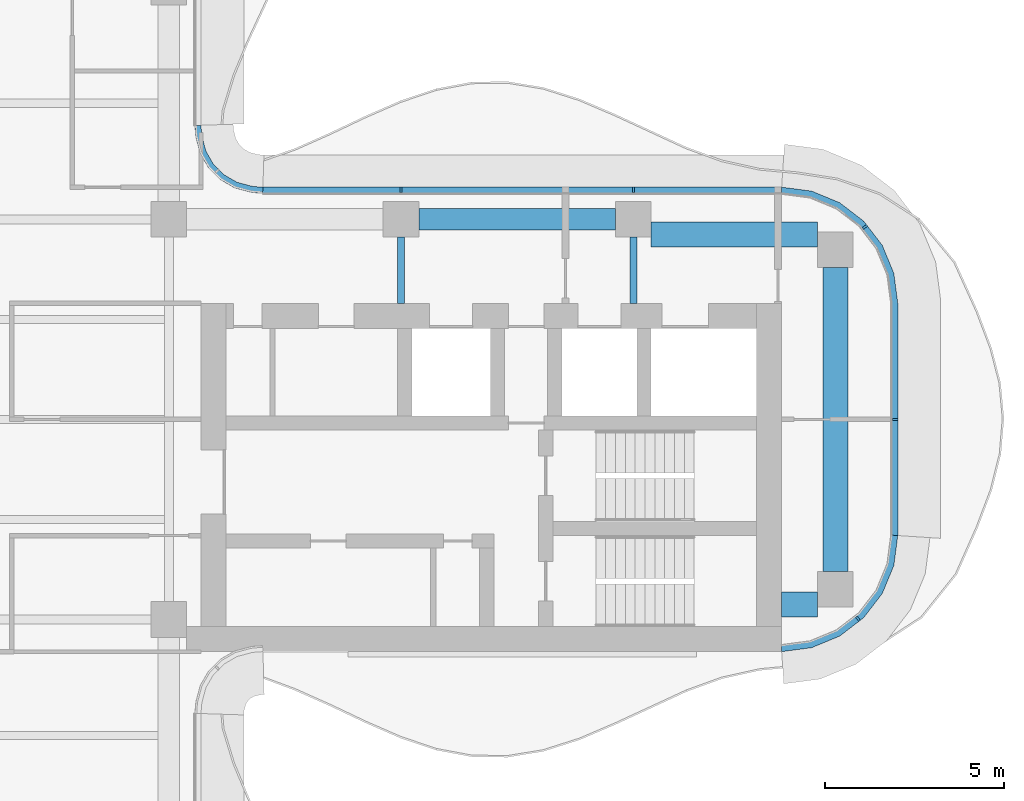
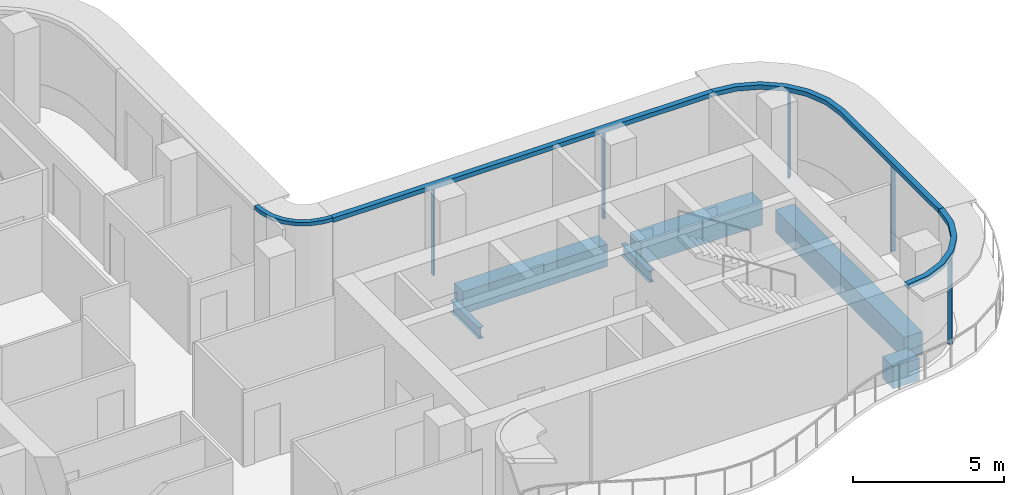
# One storey, part 6 of 15: 9 members, 6 beams, 4 elements without a shape of their own.
"""IFC4 building model written with IfcOpenShell, lengths in metres."""

from ifc_helpers import new_model, si_unit, direction, frame, origin, origin_2d, place, context, subcontext, project, spatial, polyline, rectangle, i_section, outline, extrude, source, transform, mapped, material, layer, layer_set, material_profile, profile_set, type_object, element, aggregate, save


model = new_model("IFC4")

# Units and contexts
model_context = context("Model", 3, precision=1e-05, world=origin(), true_north=direction((0.0, 1.0)))
body_context = subcontext(model_context, "Body", "Model", "MODEL_VIEW")
ifc_project = project(units=[si_unit("LENGTHUNIT", "METRE"), si_unit("AREAUNIT", "SQUARE_METRE"), si_unit("VOLUMEUNIT", "CUBIC_METRE"), si_unit("PLANEANGLEUNIT", "RADIAN"), si_unit("MASSUNIT", "GRAM", prefix="KILO")], contexts=[model_context])

# Site, building, storey
site_placement = place(None, origin())
site = spatial("IfcSite", under=ifc_project, at=site_placement, CompositionType="ELEMENT")
building_placement = place(site_placement, origin())
building = spatial("IfcBuilding", under=site, at=building_placement, Name="Trellis Farm Tower", CompositionType="ELEMENT")
storey_placement = place(building_placement, frame((0.0, 0.0, 287.199951171875)))
storey = spatial("IfcBuildingStorey", under=building, at=storey_placement, Name="L64", CompositionType="ELEMENT", Elevation=287.199951171875)

# Beams
ifc_material_1 = material(Name="Steel S355", Category="steel")
ifc_material_profile_1 = material_profile(ifc_material_1, i_section(OverallWidth=0.1904296875, OverallDepth=0.45703125, WebThickness=0.009033203125, FlangeThickness=0.014404296875, FilletRadius=0.01025390625, at=origin_2d()), Name="UB 457x191x74")
ifc_profile_set_1 = profile_set([ifc_material_profile_1], Name="Steel S355")
beam_type_1 = type_object("IfcBeamType", Name="UB 457x191x74", PredefinedType="BEAM", material=ifc_profile_set_1)
shared_shape_1 = source(origin(), body_context, "Body", "SweptSolid", [
    extrude(i_section(OverallWidth=0.1904296875, OverallDepth=0.45703125, WebThickness=0.009033203125, FlangeThickness=0.014404296875, FilletRadius=0.01025390625, at=origin_2d()), origin(), (0.0, 0.0, 1.0), 1.85009765625),
])
for number, where, z_axis, x_axis, name in (
    (1, (12.10009765625, 3.25, -0.428466796875), (0.0, 1.0, 0.0), (-1.0, 0.0, 0.0), "Girder"),
    (2, (18.60009765625, 3.25, -0.428466796875), (0.0, 1.0, 0.0), (-1.0, 0.0, 0.0), "Girder"),
):
    element("IfcBeam", number, at=place(storey_placement, frame(where, z_axis=z_axis, x_axis=x_axis)), inside=storey, type_object=beam_type_1, Name=name, PredefinedType="BEAM", context=body_context, shape_type="MappedRepresentation", body=[
        mapped(shared_shape_1, transform((0.0, 0.0, 0.0))),
    ])
ifc_material_2 = material(Name="Concrete C60/75", Category="concrete")
ifc_material_profile_2 = material_profile(ifc_material_2, rectangle(XDim=0.60009765625, YDim=0.89990234375, at=origin_2d()), Name="RC spandrel beam 600x900 C60/75")
ifc_profile_set_2 = profile_set([ifc_material_profile_2], Name="Concrete C60/75")
beam_type_2 = type_object("IfcBeamType", Name="RC spandrel beam 600x900 C60/75", PredefinedType="SPANDREL", material=ifc_profile_set_2)
shared_shape_2 = source(origin(), body_context, "Body", "SweptSolid", [
    extrude(rectangle(XDim=0.60009765625, YDim=0.89990234375, at=origin_2d()), origin(), (0.0, 0.0, 1.0), 5.5),
])
beam_1_placement = place(storey_placement, frame((12.60009765625, 5.60009765625, -0.64990234375), z_axis=(1.0, 0.0, 0.0), x_axis=(0.0, 1.0, 0.0)))
element("IfcBeam", 3, at=beam_1_placement, inside=storey, type_object=beam_type_2, Name="Girder", PredefinedType="SPANDREL", context=body_context, shape_type="MappedRepresentation", body=[
    mapped(shared_shape_2, transform((0.0, 0.0, 0.0))),
])
ifc_material_profile_3 = material_profile(ifc_material_2, rectangle(XDim=0.699951171875, YDim=0.89990234375, at=origin_2d()), Name="RC spandrel beam 700x900 C60/75")
ifc_profile_set_3 = profile_set([ifc_material_profile_3], Name="Concrete C60/75")
beam_type_3 = type_object("IfcBeamType", Name="RC spandrel beam 700x900 C60/75", PredefinedType="SPANDREL", material=ifc_profile_set_3)
shared_shape_3 = source(origin(), body_context, "Body", "SweptSolid", [
    extrude(rectangle(XDim=0.699951171875, YDim=0.89990234375, at=origin_2d()), origin(), (0.0, 0.0, 1.0), 1.0),
])
beam_2_placement = place(storey_placement, frame((22.75, -5.175048828125, -0.64990234375), z_axis=(1.0, 0.0, 0.0), x_axis=(0.0, 1.0, 0.0)))
element("IfcBeam", 4, at=beam_2_placement, inside=storey, type_object=beam_type_3, Name="Girder", PredefinedType="SPANDREL", context=body_context, shape_type="MappedRepresentation", body=[
    mapped(shared_shape_3, transform((0.0, 0.0, 0.0))),
])
shared_shape_4 = source(origin(), body_context, "Body", "SweptSolid", [
    extrude(rectangle(XDim=0.699951171875, YDim=0.89990234375, at=origin_2d()), origin(), (0.0, 0.0, 1.0), 4.64990234375),
])
beam_3_placement = place(storey_placement, frame((19.10009765625, 5.175048828125, -0.64990234375), z_axis=(1.0, 0.0, 0.0), x_axis=(0.0, 1.0, 0.0)))
element("IfcBeam", 5, at=beam_3_placement, inside=storey, type_object=beam_type_3, Name="Girder", PredefinedType="SPANDREL", context=body_context, shape_type="MappedRepresentation", body=[
    mapped(shared_shape_4, transform((0.0, 0.0, 0.0))),
])
shared_shape_5 = source(origin(), body_context, "Body", "SweptSolid", [
    extrude(rectangle(XDim=0.699951171875, YDim=0.89990234375, at=origin_2d()), origin(), (0.0, 0.0, 1.0), 8.5),
])
beam_4_placement = place(storey_placement, frame((24.25, -4.25, -0.64990234375), z_axis=(0.0, 1.0, 0.0), x_axis=(-1.0, 0.0, 0.0)))
element("IfcBeam", 6, at=beam_4_placement, inside=storey, type_object=beam_type_3, Name="Girder", PredefinedType="SPANDREL", context=body_context, shape_type="MappedRepresentation", body=[
    mapped(shared_shape_5, transform((0.0, 0.0, 0.0))),
])

# Curtain wall, member
ifc_material_3 = material(Name="Aluminium and glass curtain wall", Category="aluminium")
ifc_layer_1 = layer(ifc_material_3, 0.166015625)
ifc_layer_set_1 = layer_set([ifc_layer_1], Name="WINTER GARDEN CURTAIN WALL CW3")
curtain_wall_type_1 = type_object("IfcCurtainWallType", Name="WINTER GARDEN CURTAIN WALL CW3", PredefinedType="NOTDEFINED", material=ifc_layer_set_1)
placement_1 = place(storey_placement, origin())
curtain_wall_1 = element("IfcCurtainWall", 7, at=placement_1, inside=storey, type_object=curtain_wall_type_1, Name="CW3 003", PredefinedType="NOTDEFINED")
ifc_material_4 = material(Name="Aluminium extrusion 6063-T6", Category="aluminium")
ifc_layer_2 = layer(ifc_material_4, 0.169921875)
ifc_layer_set_2 = layer_set([ifc_layer_2], Name="Aluminium extrusion 6063-T6")
member_type_1 = type_object("IfcMemberType", Name="CW3 TRANSOM 170x150", PredefinedType="USERDEFINED", material=ifc_layer_set_2)
shared_shape_6 = source(origin(), body_context, "Body", "SweptSolid", [
    extrude(outline(polyline([(8.2314453125, 6.5), (8.01953125, 6.513916015625), (7.91552734375, 6.527587890625), (7.508544921875, 6.63671875), (7.144287109375, 6.846923828125), (6.846923828125, 7.144287109375), (6.63671875, 7.508544921875), (6.527587890625, 7.91552734375), (6.513916015625, 8.01953125), (6.5, 8.2314453125), (6.330078125, 8.225830078125), (6.3447265625, 8.0029296875), (6.360595703125, 7.88232421875), (6.478271484375, 7.44287109375), (6.7109375, 7.0400390625), (7.0400390625, 6.7109375), (7.44287109375, 6.478271484375), (7.88232421875, 6.360595703125), (8.0029296875, 6.3447265625), (8.225830078125, 6.330078125), (8.2314453125, 6.5)])), origin(), (0.0, 0.0, 1.0), 0.14990234375),
])
member_1_placement = place(storey_placement, frame((0.0, 0.0, 3.550048828125)))
member_1 = element("IfcMember", 8, at=member_1_placement, type_object=member_type_1, Name="TR3 003", ObjectType="TRANSOM", PredefinedType="USERDEFINED", context=body_context, shape_type="MappedRepresentation", body=[
    mapped(shared_shape_6, transform((0.0, 0.0, 0.0))),
])
aggregate(curtain_wall_1, [member_1])

ifc_layer_3 = layer(ifc_material_3, 0.18994140625)
ifc_layer_set_3 = layer_set([ifc_layer_3], Name="RIBBON CURTAIN WALL CW1")
curtain_wall_type_2 = type_object("IfcCurtainWallType", Name="RIBBON CURTAIN WALL CW1", PredefinedType="NOTDEFINED", material=ifc_layer_set_3)
curtain_wall_2 = element("IfcCurtainWall", 9, at=placement_1, inside=storey, type_object=curtain_wall_type_2, Name="CW1 005", PredefinedType="NOTDEFINED")
ifc_material_profile_4 = material_profile(ifc_material_4, rectangle(XDim=0.06005859375, YDim=0.14990234375, at=origin_2d()), Name="MULLION 60x150")
ifc_profile_set_4 = profile_set([ifc_material_profile_4], Name="Aluminium extrusion 6063-T6")
member_type_2 = type_object("IfcMemberType", Name="CW1 MULLION 60x150", PredefinedType="MULLION", material=ifc_profile_set_4)
shared_shape_7 = source(origin(), body_context, "Body", "SweptSolid", [
    extrude(rectangle(XDim=0.06005859375, YDim=0.14990234375, at=origin_2d()), origin(), (0.0, 0.0, 1.0), 3.52001953125),
])
member_2_placement = place(storey_placement, frame((24.885498046875, -5.578369140625, 0.0), z_axis=(0.0, 0.0, 1.0), x_axis=(0.793353340291, 0.608761429009, 0.0)))
member_2 = element("IfcMember", 10, at=member_2_placement, type_object=member_type_2, Name="MU1 005-01", PredefinedType="MULLION", context=body_context, shape_type="MappedRepresentation", body=[
    mapped(shared_shape_7, transform((0.0, 0.0, 0.0))),
])

# Curtain wall, members
curtain_wall_3 = element("IfcCurtainWall", 11, at=placement_1, inside=storey, type_object=curtain_wall_type_2, Name="CW1 006", PredefinedType="NOTDEFINED")
member_3_placement = place(storey_placement, frame((25.925048828125, 0.0, 0.0), z_axis=(0.0, 0.0, 1.0), x_axis=(0.0, 1.0, 0.0)))
member_3 = element("IfcMember", 12, at=member_3_placement, type_object=member_type_2, Name="MU1 006-01", PredefinedType="MULLION", context=body_context, shape_type="MappedRepresentation", body=[
    mapped(shared_shape_7, transform((0.0, 0.0, 0.0))),
])
member_4_placement = place(storey_placement, frame((25.078369140625, 5.385498046875, 0.0), z_axis=(0.0, 0.0, 1.0), x_axis=(-0.608761429009, 0.793353340291, 0.0)))
member_4 = element("IfcMember", 13, at=member_4_placement, type_object=member_type_2, Name="MU1 006-02", PredefinedType="MULLION", context=body_context, shape_type="MappedRepresentation", body=[
    mapped(shared_shape_7, transform((0.0, 0.0, 0.0))),
])

curtain_wall_4 = element("IfcCurtainWall", 14, at=placement_1, inside=storey, type_object=curtain_wall_type_2, Name="CW1 007", PredefinedType="NOTDEFINED")
member_5_placement = place(storey_placement, frame((18.60009765625, 6.425048828125, 0.0), z_axis=(0.0, 0.0, 1.0), x_axis=(-1.0, 0.0, 0.0)))
member_5 = element("IfcMember", 15, at=member_5_placement, type_object=member_type_2, Name="MU1 007-01", PredefinedType="MULLION", context=body_context, shape_type="MappedRepresentation", body=[
    mapped(shared_shape_7, transform((0.0, 0.0, 0.0))),
])
member_6_placement = place(storey_placement, frame((12.10009765625, 6.425048828125, 0.0), z_axis=(0.0, 0.0, 1.0), x_axis=(-1.0, 0.0, 0.0)))
member_6 = element("IfcMember", 16, at=member_6_placement, type_object=member_type_2, Name="MU1 007-02", PredefinedType="MULLION", context=body_context, shape_type="MappedRepresentation", body=[
    mapped(shared_shape_7, transform((0.0, 0.0, 0.0))),
])

# Member
ifc_layer_4 = layer(ifc_material_4, 0.199951171875)
ifc_layer_set_4 = layer_set([ifc_layer_4], Name="Aluminium extrusion 6063-T6")
member_type_3 = type_object("IfcMemberType", Name="CW1 TRANSOM 200x180", PredefinedType="USERDEFINED", material=ifc_layer_set_4)
shared_shape_8 = source(origin(), body_context, "Body", "SweptSolid", [
    extrude(outline(polyline([(22.75, -6.5), (23.591064453125, -6.38916015625), (24.375, -6.064697265625), (25.048095703125, -5.548095703125), (25.564697265625, -4.875), (25.88916015625, -4.091064453125), (26.0, -3.25), (25.800048828125, -3.23681640625), (25.6943359375, -4.0390625), (25.389892578125, -4.774169921875), (24.905517578125, -5.405517578125), (24.274169921875, -5.889892578125), (23.5390625, -6.1943359375), (22.73681640625, -6.300048828125), (22.75, -6.5)])), origin(), (0.0, 0.0, 1.0), 0.179931640625),
])
placement_2 = place(storey_placement, frame((0.0, 0.0, 3.52001953125)))
member_7 = element("IfcMember", 17, at=placement_2, type_object=member_type_3, Name="TR1 005", ObjectType="TRANSOM", PredefinedType="USERDEFINED", context=body_context, shape_type="MappedRepresentation", body=[
    mapped(shared_shape_8, transform((0.0, 0.0, 0.0))),
])

aggregate(curtain_wall_2, [member_2, member_7])

shared_shape_9 = source(origin(), body_context, "Body", "SweptSolid", [
    extrude(outline(polyline([(22.75, 6.5), (8.2314453125, 6.5), (8.224853515625, 6.300048828125), (22.73681640625, 6.300048828125), (22.75, 6.5)])), origin(), (0.0, 0.0, 1.0), 0.179931640625),
])
member_8 = element("IfcMember", 18, at=placement_2, type_object=member_type_3, Name="TR1 007", ObjectType="TRANSOM", PredefinedType="USERDEFINED", context=body_context, shape_type="MappedRepresentation", body=[
    mapped(shared_shape_9, transform((0.0, 0.0, 0.0))),
])

aggregate(curtain_wall_4, [member_5, member_6, member_8])

shared_shape_10 = source(origin(), body_context, "Body", "SweptSolid", [
    extrude(outline(polyline([(26.0, -3.25), (26.0, 3.25), (25.88916015625, 4.091064453125), (25.564697265625, 4.875), (25.048095703125, 5.548095703125), (24.375, 6.064697265625), (23.591064453125, 6.38916015625), (22.75, 6.5), (22.73681640625, 6.300048828125), (23.5390625, 6.1943359375), (24.274169921875, 5.889892578125), (24.905517578125, 5.405517578125), (25.389892578125, 4.774169921875), (25.6943359375, 4.0390625), (25.800048828125, 3.23681640625), (25.800048828125, -3.23681640625), (26.0, -3.25)])), origin(), (0.0, 0.0, 1.0), 0.179931640625),
])
member_9 = element("IfcMember", 19, at=placement_2, type_object=member_type_3, Name="TR1 006", ObjectType="TRANSOM", PredefinedType="USERDEFINED", context=body_context, shape_type="MappedRepresentation", body=[
    mapped(shared_shape_10, transform((0.0, 0.0, 0.0))),
])

aggregate(curtain_wall_3, [member_3, member_4, member_9])

save(model, "model.ifc")
